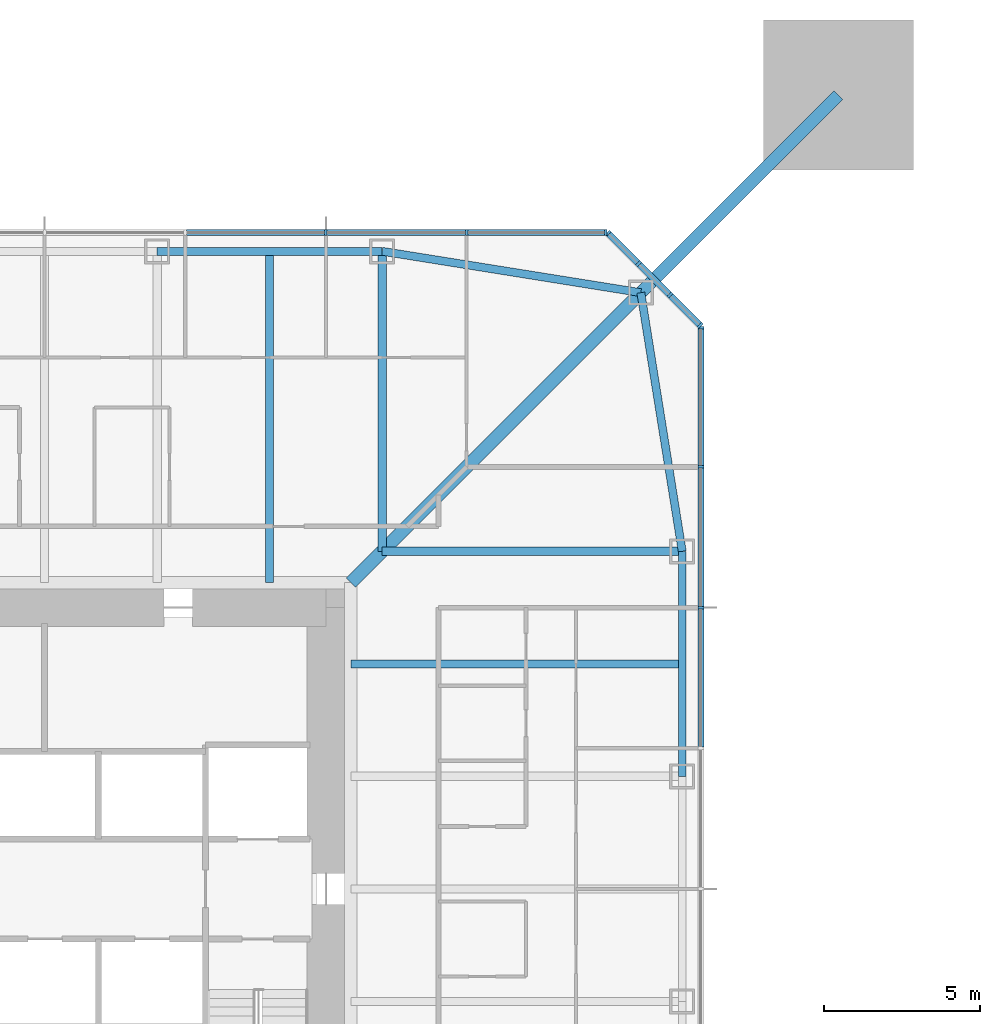
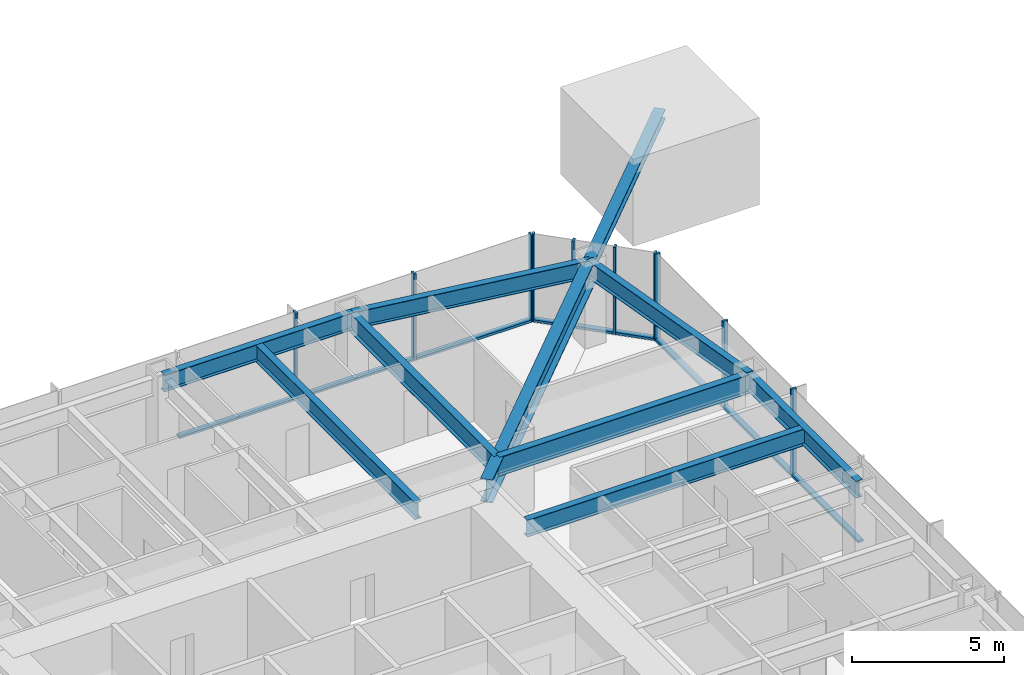
# One storey, part 7 of 25: 20 members, 9 beams, 3 elements without a shape of their own.
"""IFC4 building model written with IfcOpenShell, lengths in metres."""

from ifc_helpers import new_model, si_unit, direction, frame, origin, origin_2d, place, context, subcontext, project, spatial, rectangle, i_section, extrude, material, material_profile, profile_set, type_object, element, aggregate, save


model = new_model("IFC4")

# Units and contexts
model_context = context("Model", 3, precision=1e-05, world=origin(), true_north=direction((0.0, 1.0)))
body_context = subcontext(model_context, "Body", "Model", "MODEL_VIEW")
ifc_project = project(units=[si_unit("LENGTHUNIT", "METRE"), si_unit("AREAUNIT", "SQUARE_METRE"), si_unit("VOLUMEUNIT", "CUBIC_METRE"), si_unit("PLANEANGLEUNIT", "RADIAN"), si_unit("MASSUNIT", "GRAM", prefix="KILO")], contexts=[model_context])

# Site, building, storey
site_placement = place(None, origin())
site = spatial("IfcSite", under=ifc_project, at=site_placement, CompositionType="ELEMENT")
building_placement = place(site_placement, origin())
building = spatial("IfcBuilding", under=site, at=building_placement, Name="Iwan Alto Co-Living Towers", CompositionType="ELEMENT")
storey_placement = place(building_placement, frame((0.0, 0.0, 101.5)))
storey = spatial("IfcBuildingStorey", under=building, at=storey_placement, Name="L27", CompositionType="ELEMENT", Elevation=101.5)

# Curtain wall, members
ifc_material_1 = material(Name="Bronze aluminium unitised frame", Category="aluminium")
curtain_wall_type_1 = type_object("IfcCurtainWallType", Name="CURTAIN WALL CW-A", PredefinedType="NOTDEFINED", material=ifc_material_1)
curtain_wall_1_placement = place(storey_placement, origin())
curtain_wall_1 = element("IfcCurtainWall", 1, at=curtain_wall_1_placement, inside=storey, type_object=curtain_wall_type_1, Name="T1 curtain wall E L27", PredefinedType="NOTDEFINED")
ifc_material_2 = material(Name="Aluminium 6063-T6 bronze anodised", Category="aluminium")
ifc_material_profile_1 = material_profile(ifc_material_2, rectangle(XDim=0.199951171875, YDim=0.080078125, at=origin_2d()), Name="AL 80X200")
ifc_profile_set_1 = profile_set([ifc_material_profile_1], Name="Aluminium 6063-T6 bronze anodised")
member_type_1 = type_object("IfcMemberType", Name="CW-A MULLION 80X200", PredefinedType="MULLION", material=ifc_profile_set_1)
member_1_placement = place(storey_placement, frame((21.0, 9.0, 0.0), z_axis=(0.0, 0.0, 1.0), x_axis=(-1.0, 0.0, 0.0)))
member_1 = element("IfcMember", 2, at=member_1_placement, type_object=member_type_1, Name="CW-A mullion 7", PredefinedType="MULLION", context=body_context, shape_type="SweptSolid", body=[
    extrude(rectangle(XDim=0.199951171875, YDim=0.080078125, at=origin_2d()), origin(), (0.0, 0.0, 1.0), 3.5),
])
member_2_placement = place(storey_placement, frame((21.0, 13.5, 0.0), z_axis=(0.0, 0.0, 1.0), x_axis=(-1.0, 0.0, 0.0)))
member_2 = element("IfcMember", 3, at=member_2_placement, type_object=member_type_1, Name="CW-A mullion 8", PredefinedType="MULLION", context=body_context, shape_type="SweptSolid", body=[
    extrude(rectangle(XDim=0.199951171875, YDim=0.080078125, at=origin_2d()), origin(), (0.0, 0.0, 1.0), 3.5),
])
member_3_placement = place(storey_placement, frame((21.0, 17.9599609375, 0.0), z_axis=(0.0, 0.0, 1.0), x_axis=(-1.0, 0.0, 0.0)))
member_3 = element("IfcMember", 4, at=member_3_placement, type_object=member_type_1, Name="CW-A mullion 9", PredefinedType="MULLION", context=body_context, shape_type="SweptSolid", body=[
    extrude(rectangle(XDim=0.199951171875, YDim=0.080078125, at=origin_2d()), origin(), (0.0, 0.0, 1.0), 3.5),
])

curtain_wall_2_placement = place(storey_placement, origin())
curtain_wall_2 = element("IfcCurtainWall", 5, at=curtain_wall_2_placement, inside=storey, type_object=curtain_wall_type_1, Name="T1 curtain wall N L27", PredefinedType="NOTDEFINED")
member_4_placement = place(storey_placement, frame((17.9599609375, 21.0, 0.0), z_axis=(0.0, 0.0, 1.0), x_axis=(0.0, -1.0, 0.0)))
member_4 = element("IfcMember", 6, at=member_4_placement, type_object=member_type_1, Name="CW-A mullion 1", PredefinedType="MULLION", context=body_context, shape_type="SweptSolid", body=[
    extrude(rectangle(XDim=0.199951171875, YDim=0.080078125, at=origin_2d()), origin(), (0.0, 0.0, 1.0), 3.5),
])
member_5_placement = place(storey_placement, frame((13.5, 21.0, 0.0), z_axis=(0.0, 0.0, 1.0), x_axis=(0.0, -1.0, 0.0)))
member_5 = element("IfcMember", 7, at=member_5_placement, type_object=member_type_1, Name="CW-A mullion 2", PredefinedType="MULLION", context=body_context, shape_type="SweptSolid", body=[
    extrude(rectangle(XDim=0.199951171875, YDim=0.080078125, at=origin_2d()), origin(), (0.0, 0.0, 1.0), 3.5),
])
member_6_placement = place(storey_placement, frame((9.0, 21.0, 0.0), z_axis=(0.0, 0.0, 1.0), x_axis=(0.0, -1.0, 0.0)))
member_6 = element("IfcMember", 8, at=member_6_placement, type_object=member_type_1, Name="CW-A mullion 3", PredefinedType="MULLION", context=body_context, shape_type="SweptSolid", body=[
    extrude(rectangle(XDim=0.199951171875, YDim=0.080078125, at=origin_2d()), origin(), (0.0, 0.0, 1.0), 3.5),
])

# Member
ifc_material_3 = material(Name="Aluminium 6063-T6 bronze anodised", Category="aluminium")
ifc_material_profile_2 = material_profile(ifc_material_3, rectangle(XDim=0.199951171875, YDim=0.10009765625, at=origin_2d()), Name="AL 200X100")
ifc_profile_set_2 = profile_set([ifc_material_profile_2], Name="Aluminium 6063-T6 bronze anodised")
member_type_2 = type_object("IfcMemberType", Name="CW-A TRANSOM 200X100", PredefinedType="USERDEFINED", material=ifc_profile_set_2)
member_7_placement = place(storey_placement, frame((21.0, 4.5400390625, 0.050048828125), z_axis=(0.0, 1.0, 0.0), x_axis=(-1.0, 0.0, 0.0)))
member_7 = element("IfcMember", 9, at=member_7_placement, type_object=member_type_2, Name="CW-A transom 6.1", ObjectType="TRANSOM", PredefinedType="USERDEFINED", context=body_context, shape_type="SweptSolid", body=[
    extrude(rectangle(XDim=0.199951171875, YDim=0.10009765625, at=origin_2d()), origin(), (0.0, 0.0, 1.0), 4.419921875),
])

member_8_placement = place(storey_placement, frame((21.0, 9.0400390625, 0.050048828125), z_axis=(0.0, 1.0, 0.0), x_axis=(-1.0, 0.0, 0.0)))
member_8 = element("IfcMember", 10, at=member_8_placement, type_object=member_type_2, Name="CW-A transom 7.1", ObjectType="TRANSOM", PredefinedType="USERDEFINED", context=body_context, shape_type="SweptSolid", body=[
    extrude(rectangle(XDim=0.199951171875, YDim=0.10009765625, at=origin_2d()), origin(), (0.0, 0.0, 1.0), 4.419921875),
])

member_9_placement = place(storey_placement, frame((21.0, 13.5400390625, 0.050048828125), z_axis=(0.0, 1.0, 0.0), x_axis=(-1.0, 0.0, 0.0)))
member_9 = element("IfcMember", 11, at=member_9_placement, type_object=member_type_2, Name="CW-A transom 8.1", ObjectType="TRANSOM", PredefinedType="USERDEFINED", context=body_context, shape_type="SweptSolid", body=[
    extrude(rectangle(XDim=0.199951171875, YDim=0.10009765625, at=origin_2d()), origin(), (0.0, 0.0, 1.0), 4.3798828125),
])

aggregate(curtain_wall_1, [member_1, member_2, member_3, member_7, member_8, member_9])

member_10_placement = place(storey_placement, frame((17.919921875, 21.0, 0.050048828125), z_axis=(-1.0, 0.0, 0.0), x_axis=(0.0, -1.0, 0.0)))
member_10 = element("IfcMember", 12, at=member_10_placement, type_object=member_type_2, Name="CW-A transom 1.1", ObjectType="TRANSOM", PredefinedType="USERDEFINED", context=body_context, shape_type="SweptSolid", body=[
    extrude(rectangle(XDim=0.199951171875, YDim=0.10009765625, at=origin_2d()), origin(), (0.0, 0.0, 1.0), 4.3798828125),
])

member_11_placement = place(storey_placement, frame((13.4599609375, 21.0, 0.050048828125), z_axis=(-1.0, 0.0, 0.0), x_axis=(0.0, -1.0, 0.0)))
member_11 = element("IfcMember", 13, at=member_11_placement, type_object=member_type_2, Name="CW-A transom 2.1", ObjectType="TRANSOM", PredefinedType="USERDEFINED", context=body_context, shape_type="SweptSolid", body=[
    extrude(rectangle(XDim=0.199951171875, YDim=0.10009765625, at=origin_2d()), origin(), (0.0, 0.0, 1.0), 4.419921875),
])

member_12_placement = place(storey_placement, frame((8.9599609375, 21.0, 0.050048828125), z_axis=(-1.0, 0.0, 0.0), x_axis=(0.0, -1.0, 0.0)))
member_12 = element("IfcMember", 14, at=member_12_placement, type_object=member_type_2, Name="CW-A transom 3.1", ObjectType="TRANSOM", PredefinedType="USERDEFINED", context=body_context, shape_type="SweptSolid", body=[
    extrude(rectangle(XDim=0.199951171875, YDim=0.10009765625, at=origin_2d()), origin(), (0.0, 0.0, 1.0), 4.419921875),
])

aggregate(curtain_wall_2, [member_4, member_5, member_6, member_10, member_11, member_12])

# Curtain wall, members
ifc_material_4 = material(Name="Bronze aluminium unitised frame", Category="aluminium")
curtain_wall_type_2 = type_object("IfcCurtainWallType", Name="CURTAIN WALL CW-B", PredefinedType="NOTDEFINED", material=ifc_material_4)
curtain_wall_3_placement = place(storey_placement, origin())
curtain_wall_3 = element("IfcCurtainWall", 15, at=curtain_wall_3_placement, inside=storey, type_object=curtain_wall_type_2, Name="T1 chamfer curtain wall NE L27", PredefinedType="NOTDEFINED")
ifc_material_5 = material(Name="Aluminium 6063-T6 bronze anodised", Category="aluminium")
ifc_material_profile_3 = material_profile(ifc_material_5, rectangle(XDim=0.199951171875, YDim=0.080078125, at=origin_2d()), Name="AL 80X200")
ifc_profile_set_3 = profile_set([ifc_material_profile_3], Name="Aluminium 6063-T6 bronze anodised")
member_type_3 = type_object("IfcMemberType", Name="CW-B MULLION 80X200", PredefinedType="MULLION", material=ifc_profile_set_3)
member_13_placement = place(storey_placement, frame((20.9716796875, 18.0283203125, 0.0), z_axis=(0.0, 0.0, 1.0), x_axis=(-0.707106781187, -0.707106781187, 0.0)))
member_13 = element("IfcMember", 16, at=member_13_placement, type_object=member_type_3, Name="CW-B mullion 1", PredefinedType="MULLION", context=body_context, shape_type="SweptSolid", body=[
    extrude(rectangle(XDim=0.199951171875, YDim=0.080078125, at=origin_2d()), origin(), (0.0, 0.0, 1.0), 3.5),
])
member_14_placement = place(storey_placement, frame((20.0, 19.0, 0.0), z_axis=(0.0, 0.0, 1.0), x_axis=(-0.707106781187, -0.707106781187, 0.0)))
member_14 = element("IfcMember", 17, at=member_14_placement, type_object=member_type_3, Name="CW-B mullion 2", PredefinedType="MULLION", context=body_context, shape_type="SweptSolid", body=[
    extrude(rectangle(XDim=0.199951171875, YDim=0.080078125, at=origin_2d()), origin(), (0.0, 0.0, 1.0), 3.5),
])
member_15_placement = place(storey_placement, frame((19.0, 20.0, 0.0), z_axis=(0.0, 0.0, 1.0), x_axis=(-0.707106781187, -0.707106781187, 0.0)))
member_15 = element("IfcMember", 18, at=member_15_placement, type_object=member_type_3, Name="CW-B mullion 3", PredefinedType="MULLION", context=body_context, shape_type="SweptSolid", body=[
    extrude(rectangle(XDim=0.199951171875, YDim=0.080078125, at=origin_2d()), origin(), (0.0, 0.0, 1.0), 3.5),
])
member_16_placement = place(storey_placement, frame((18.0283203125, 20.9716796875, 0.0), z_axis=(0.0, 0.0, 1.0), x_axis=(-0.707106781187, -0.707106781187, 0.0)))
member_16 = element("IfcMember", 19, at=member_16_placement, type_object=member_type_3, Name="CW-B mullion 4", PredefinedType="MULLION", context=body_context, shape_type="SweptSolid", body=[
    extrude(rectangle(XDim=0.199951171875, YDim=0.080078125, at=origin_2d()), origin(), (0.0, 0.0, 1.0), 3.5),
])
ifc_material_6 = material(Name="Aluminium 6063-T6 bronze anodised", Category="aluminium")
ifc_material_profile_4 = material_profile(ifc_material_6, rectangle(XDim=0.199951171875, YDim=0.10009765625, at=origin_2d()), Name="AL 200X100")
ifc_profile_set_4 = profile_set([ifc_material_profile_4], Name="Aluminium 6063-T6 bronze anodised")
member_type_4 = type_object("IfcMemberType", Name="CW-B TRANSOM 200X100", PredefinedType="USERDEFINED", material=ifc_profile_set_4)
member_17_placement = place(storey_placement, frame((20.943359375, 18.056640625, 0.050048828125), z_axis=(-0.707106781187, 0.707106781187, 0.0), x_axis=(-0.707106781187, -0.707106781187, 0.0)))
member_17 = element("IfcMember", 20, at=member_17_placement, type_object=member_type_4, Name="CW-B transom 1.1", ObjectType="TRANSOM", PredefinedType="USERDEFINED", context=body_context, shape_type="SweptSolid", body=[
    extrude(rectangle(XDim=0.199951171875, YDim=0.10009765625, at=origin_2d()), origin(), (0.0, 0.0, 1.0), 1.2939453125),
])
member_18_placement = place(storey_placement, frame((19.9716796875, 19.0283203125, 0.050048828125), z_axis=(-0.707106781187, 0.707106781187, 0.0), x_axis=(-0.707106781187, -0.707106781187, 0.0)))
member_18 = element("IfcMember", 21, at=member_18_placement, type_object=member_type_4, Name="CW-B transom 2.1", ObjectType="TRANSOM", PredefinedType="USERDEFINED", context=body_context, shape_type="SweptSolid", body=[
    extrude(rectangle(XDim=0.199951171875, YDim=0.10009765625, at=origin_2d()), origin(), (0.0, 0.0, 1.0), 1.334228515625),
])
member_19_placement = place(storey_placement, frame((18.9716796875, 20.0283203125, 0.050048828125), z_axis=(-0.707106781187, 0.707106781187, 0.0), x_axis=(-0.707106781187, -0.707106781187, 0.0)))
member_19 = element("IfcMember", 22, at=member_19_placement, type_object=member_type_4, Name="CW-B transom 3.1", ObjectType="TRANSOM", PredefinedType="USERDEFINED", context=body_context, shape_type="SweptSolid", body=[
    extrude(rectangle(XDim=0.199951171875, YDim=0.10009765625, at=origin_2d()), origin(), (0.0, 0.0, 1.0), 1.2939453125),
])
aggregate(curtain_wall_3, [member_13, member_14, member_15, member_16, member_17, member_18, member_19])

# Beams
ifc_material_7 = material(Name="Steel ASTM A992 Gr 50", Category="steel")
ifc_material_profile_5 = material_profile(ifc_material_7, i_section(OverallWidth=0.419189453125, OverallDepth=0.927001953125, WebThickness=0.019287109375, FlangeThickness=0.031982421875, at=origin_2d()), Name="W36X231")
ifc_profile_set_5 = profile_set([ifc_material_profile_5], Name="Steel ASTM A992 Gr 50")
beam_type_1 = type_object("IfcBeamType", Name="T1 CORNER GIRDER W36X231", PredefinedType="BEAM", material=ifc_profile_set_5)
beam_1_placement = place(storey_placement, frame((19.07568359375, 19.07568359375, 2.806396484375), z_axis=(-0.707106781187, -0.707106781187, 0.0), x_axis=(0.707106781187, -0.707106781187, 0.0)))
element("IfcBeam", 23, at=beam_1_placement, inside=storey, type_object=beam_type_1, Name="T1 corner girder CNE L28", PredefinedType="BEAM", context=body_context, shape_type="SweptSolid", body=[
    extrude(i_section(OverallWidth=0.419189453125, OverallDepth=0.927001953125, WebThickness=0.019287109375, FlangeThickness=0.031982421875, at=origin_2d()), origin(), (0.0, 0.0, 1.0), 13.11865234375),
])
ifc_material_8 = material(Name="Steel ASTM A992 Gr 50", Category="steel")
ifc_material_profile_6 = material_profile(ifc_material_8, i_section(OverallWidth=0.25390625, OverallDepth=0.683349609375, WebThickness=0.012451171875, FlangeThickness=0.018798828125, at=origin_2d()), Name="W27X94")
ifc_profile_set_6 = profile_set([ifc_material_profile_6], Name="Steel ASTM A992 Gr 50")
beam_type_2 = type_object("IfcBeamType", Name="T1 EDGE BEAM W27X94", PredefinedType="BEAM", material=ifc_profile_set_6)
beam_2_placement = place(storey_placement, frame((20.39990234375, 3.60009765625, 2.928466796875), z_axis=(0.0, 1.0, 0.0), x_axis=(-1.0, 0.0, 0.0)))
element("IfcBeam", 24, at=beam_2_placement, inside=storey, type_object=beam_type_2, Name="T1 edge beam E3 L28", PredefinedType="BEAM", context=body_context, shape_type="SweptSolid", body=[
    extrude(i_section(OverallWidth=0.25390625, OverallDepth=0.683349609375, WebThickness=0.012451171875, FlangeThickness=0.018798828125, at=origin_2d()), origin(), (0.0, 0.0, 1.0), 7.199951171875),
])
for number, where, z_axis, x_axis, name in (
    (25, (20.39990234375, 10.800048828125, 2.928466796875), (-0.158004134737, 0.987438450439, 0.0), (-0.987438450439, -0.158004134737, 0.0), "T1 edge beam E4 L28"),
    (26, (19.07568359375, 19.07568359375, 2.928466796875), (-0.987438450439, 0.158004134737, 0.0), (-0.158004134737, -0.987438450439, 0.0), "T1 edge beam CNE L28"),
):
    element("IfcBeam", number, at=place(storey_placement, frame(where, z_axis=z_axis, x_axis=x_axis)), inside=storey, type_object=beam_type_2, Name=name, PredefinedType="BEAM", context=body_context, shape_type="SweptSolid", body=[
        extrude(i_section(OverallWidth=0.25390625, OverallDepth=0.683349609375, WebThickness=0.012451171875, FlangeThickness=0.018798828125, at=origin_2d()), origin(), (0.0, 0.0, 1.0), 8.380859375),
    ])
beam_3_placement = place(storey_placement, frame((10.800048828125, 20.39990234375, 2.928466796875), z_axis=(-1.0, 0.0, 0.0), x_axis=(0.0, -1.0, 0.0)))
element("IfcBeam", 27, at=beam_3_placement, inside=storey, type_object=beam_type_2, Name="T1 edge beam N1 L28", PredefinedType="BEAM", context=body_context, shape_type="SweptSolid", body=[
    extrude(i_section(OverallWidth=0.25390625, OverallDepth=0.683349609375, WebThickness=0.012451171875, FlangeThickness=0.018798828125, at=origin_2d()), origin(), (0.0, 0.0, 1.0), 7.199951171875),
])

# Member
ifc_material_9 = material(Name="Steel ASTM A992 Gr 50", Category="steel")
ifc_material_profile_7 = material_profile(ifc_material_9, i_section(OverallWidth=0.393798828125, OverallDepth=0.3759765625, WebThickness=0.017333984375, FlangeThickness=0.027587890625, at=origin_2d()), Name="W14X145")
ifc_profile_set_7 = profile_set([ifc_material_profile_7], Name="Steel ASTM A992 Gr 50")
member_type_5 = type_object("IfcMemberType", Name="T1 MEGA COLUMN FLOOR TIE W14X145", PredefinedType="STRUT", material=ifc_profile_set_7)
member_20_placement = place(storey_placement, frame((25.39990234375, 25.39990234375, 3.08203125), z_axis=(-0.707106781187, -0.707106781187, 0.0), x_axis=(0.707106781187, -0.707106781187, 0.0)))
element("IfcMember", 28, at=member_20_placement, inside=storey, type_object=member_type_5, Name="T1 mega column floor tie NE L28", PredefinedType="STRUT", context=body_context, shape_type="SweptSolid", body=[
    extrude(i_section(OverallWidth=0.393798828125, OverallDepth=0.3759765625, WebThickness=0.017333984375, FlangeThickness=0.027587890625, at=origin_2d()), origin(), (0.0, 0.0, 1.0), 8.94384765625),
])

# Beams
ifc_material_10 = material(Name="Steel ASTM A992 Gr 50", Category="steel")
ifc_material_profile_8 = material_profile(ifc_material_10, i_section(OverallWidth=0.2666015625, OverallDepth=0.761962890625, WebThickness=0.014404296875, FlangeThickness=0.021484375, at=origin_2d()), Name="W30X116")
ifc_profile_set_8 = profile_set([ifc_material_profile_8], Name="Steel ASTM A992 Gr 50")
beam_type_3 = type_object("IfcBeamType", Name="T1 RADIAL BEAM W30X116", PredefinedType="BEAM", material=ifc_profile_set_8)
for number, where, z_axis, x_axis, name in (
    (29, (20.39990234375, 10.800048828125, 2.888916015625), (-1.0, 0.0, 0.0), (0.0, -1.0, 0.0), "T1 radial beam E4 L28"),
    (30, (10.800048828125, 20.39990234375, 2.888916015625), (0.0, -1.0, 0.0), (1.0, 0.0, 0.0), "T1 radial beam N1 L28"),
):
    element("IfcBeam", number, at=place(storey_placement, frame(where, z_axis=z_axis, x_axis=x_axis)), inside=storey, type_object=beam_type_3, Name=name, PredefinedType="BEAM", context=body_context, shape_type="SweptSolid", body=[
        extrude(i_section(OverallWidth=0.2666015625, OverallDepth=0.761962890625, WebThickness=0.014404296875, FlangeThickness=0.021484375, at=origin_2d()), origin(), (0.0, 0.0, 1.0), 9.599853515625),
    ])
ifc_material_11 = material(Name="Steel ASTM A992 Gr 50", Category="steel")
ifc_material_profile_9 = material_profile(ifc_material_11, i_section(OverallWidth=0.25390625, OverallDepth=0.683349609375, WebThickness=0.012451171875, FlangeThickness=0.018798828125, at=origin_2d()), Name="W27X94")
ifc_profile_set_9 = profile_set([ifc_material_profile_9], Name="Steel ASTM A992 Gr 50")
beam_type_4 = type_object("IfcBeamType", Name="T1 SECONDARY BEAM W27X94", PredefinedType="JOIST", material=ifc_profile_set_9)
for number, where, z_axis, x_axis, name in (
    (31, (20.39990234375, 7.199951171875, 2.928466796875), (-1.0, 0.0, 0.0), (0.0, -1.0, 0.0), "T1 secondary beam E3 L28"),
    (32, (7.199951171875, 20.39990234375, 2.928466796875), (0.0, -1.0, 0.0), (1.0, 0.0, 0.0), "T1 secondary beam N1 L28"),
):
    element("IfcBeam", number, at=place(storey_placement, frame(where, z_axis=z_axis, x_axis=x_axis)), inside=storey, type_object=beam_type_4, Name=name, PredefinedType="JOIST", context=body_context, shape_type="SweptSolid", body=[
        extrude(i_section(OverallWidth=0.25390625, OverallDepth=0.683349609375, WebThickness=0.012451171875, FlangeThickness=0.018798828125, at=origin_2d()), origin(), (0.0, 0.0, 1.0), 10.6005859375),
    ])

save(model, "model.ifc")
